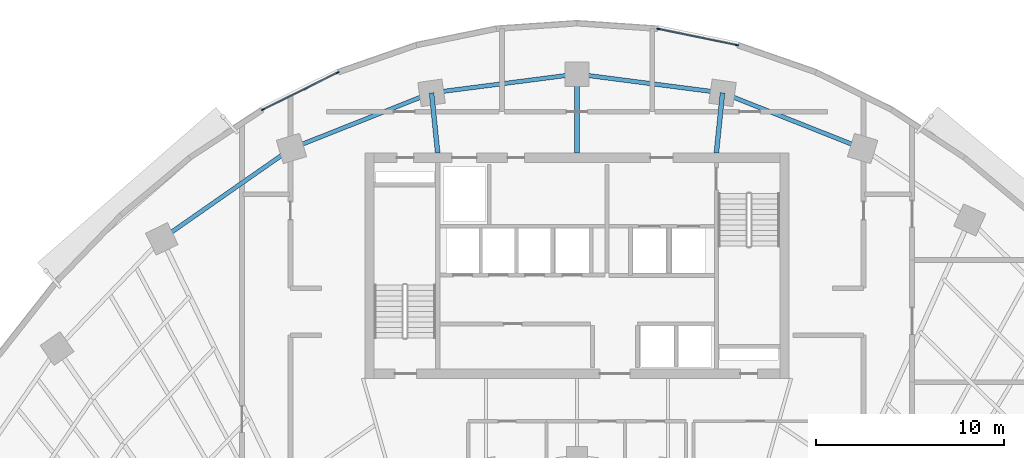
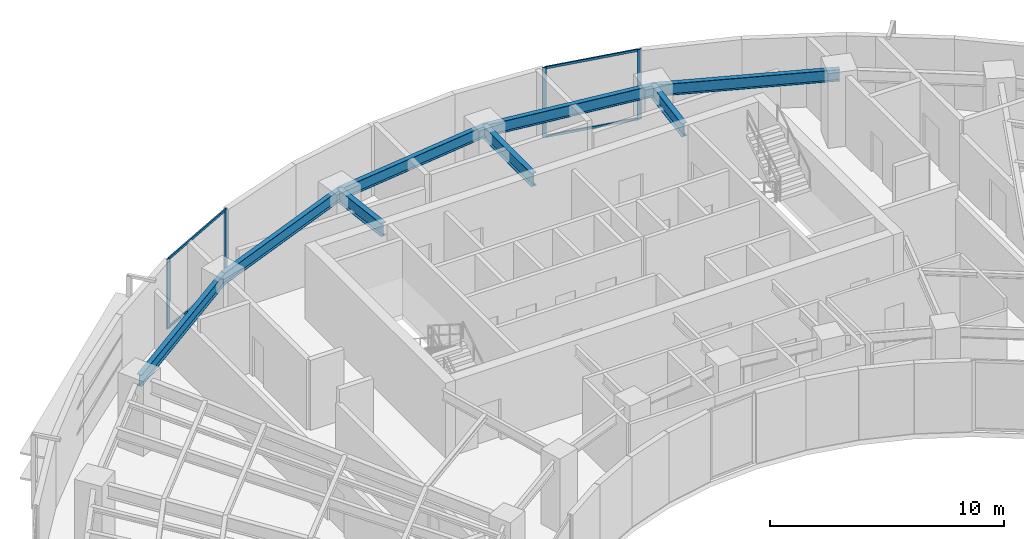
# One storey, part 5 of 13: 8 beams, 8 members, 2 elements without a shape of their own.
"""IFC4 building model written with IfcOpenShell, lengths in metres."""

from ifc_helpers import new_model, si_unit, direction, frame, origin, origin_2d, place, context, subcontext, project, spatial, rectangle, i_section, extrude, source, transform, mapped, material, layer, layer_set, material_profile, profile_set, type_object, element, aggregate, save


model = new_model("IFC4")

# Units and contexts
model_context = context("Model", 3, precision=1e-05, world=origin(), true_north=direction((0.0, 1.0)))
body_context = subcontext(model_context, "Body", "Model", "MODEL_VIEW")
ifc_project = project(units=[si_unit("LENGTHUNIT", "METRE"), si_unit("AREAUNIT", "SQUARE_METRE"), si_unit("VOLUMEUNIT", "CUBIC_METRE"), si_unit("PLANEANGLEUNIT", "RADIAN"), si_unit("MASSUNIT", "GRAM", prefix="KILO")], contexts=[model_context])

# Site, building, storey
site_placement = place(None, origin())
site = spatial("IfcSite", under=ifc_project, at=site_placement, CompositionType="ELEMENT")
building_placement = place(site_placement, origin())
building = spatial("IfcBuilding", under=site, at=building_placement, Name="Breltana Convention Tower", CompositionType="ELEMENT")
storey_placement = place(building_placement, frame((0.0, 0.0, 127.199951171875)))
storey = spatial("IfcBuildingStorey", under=building, at=storey_placement, Name="L30", CompositionType="ELEMENT", Elevation=127.199951171875)

# Beams
ifc_material_1 = material(Name="Steel ASTM A992 Grade 50", Category="steel")
ifc_material_profile_1 = material_profile(ifc_material_1, i_section(OverallWidth=0.25390625, OverallDepth=0.68798828125, WebThickness=0.01318359375, FlangeThickness=0.02099609375, at=origin_2d()), Name="W27X102")
ifc_profile_set_1 = profile_set([ifc_material_profile_1], Name="Steel ASTM A992 Grade 50")
beam_type_1 = type_object("IfcBeamType", Name="BM-RG-W27X102", PredefinedType="USERDEFINED", material=ifc_profile_set_1)
shared_shape_1 = source(origin(), body_context, "Body", "SweptSolid", [
    extrude(i_section(OverallWidth=0.25390625, OverallDepth=0.68798828125, WebThickness=0.01318359375, FlangeThickness=0.02099609375, at=origin_2d()), origin(), (0.0, 0.0, 1.0), 3.220947265625),
])
for number, where, z_axis, x_axis, name in (
    (1, (40.580078125, 72.199951171875, 3.30615234375), (-0.101492254858, 0.994836329355, 0.0), (-0.994836329355, -0.101492254858, 0.0), "L30 North Core Radial Girder R05"),
    (2, (55.419921875, 72.199951171875, 3.30615234375), (0.101492254858, 0.994836329355, 0.0), (-0.994836329355, 0.101492254858, 0.0), "L30 North Core Radial Girder R07"),
):
    element("IfcBeam", number, at=place(storey_placement, frame(where, z_axis=z_axis, x_axis=x_axis)), inside=storey, type_object=beam_type_1, Name=name, ObjectType="GIRDER", PredefinedType="USERDEFINED", context=body_context, shape_type="MappedRepresentation", body=[
        mapped(shared_shape_1, transform((0.0, 0.0, 0.0), scale=1.0)),
    ])
shared_shape_2 = source(origin(), body_context, "Body", "SweptSolid", [
    extrude(i_section(OverallWidth=0.25390625, OverallDepth=0.68798828125, WebThickness=0.01318359375, FlangeThickness=0.02099609375, at=origin_2d()), origin(), (0.0, 0.0, 1.0), 4.2041015625),
])
beam_1_placement = place(storey_placement, frame((48.0, 72.199951171875, 3.30615234375), z_axis=(0.0, 1.0, 0.0), x_axis=(-1.0, 0.0, 0.0)))
element("IfcBeam", 3, at=beam_1_placement, inside=storey, type_object=beam_type_1, Name="L30 North Core Radial Girder R06", ObjectType="GIRDER", PredefinedType="USERDEFINED", context=body_context, shape_type="MappedRepresentation", body=[
    mapped(shared_shape_2, transform((0.0, 0.0, 0.0), scale=1.0)),
])
ifc_material_profile_2 = material_profile(ifc_material_1, i_section(OverallWidth=0.22802734375, OverallDepth=0.60791015625, WebThickness=0.01123046875, FlangeThickness=0.017333984375, at=origin_2d()), Name="W24X76")
ifc_profile_set_2 = profile_set([ifc_material_profile_2], Name="Steel ASTM A992 Grade 50")
beam_type_2 = type_object("IfcBeamType", Name="BM-SP-W24X76", PredefinedType="SPANDREL", material=ifc_profile_set_2)
shared_shape_3 = source(origin(), body_context, "Body", "SweptSolid", [
    extrude(i_section(OverallWidth=0.22802734375, OverallDepth=0.60791015625, WebThickness=0.01123046875, FlangeThickness=0.017333984375, at=origin_2d()), origin(), (0.0, 0.0, 1.0), 8.4169921875),
])
beam_2_placement = place(storey_placement, frame((25.8876953125, 67.626953125, 3.345947265625), z_axis=(0.820173800102, 0.572114444519, 0.0), x_axis=(-0.572114444519, 0.820173800102, 0.0)))
element("IfcBeam", 4, at=beam_2_placement, inside=storey, type_object=beam_type_2, Name="L30 Outer Spandrel Beam 03", PredefinedType="SPANDREL", context=body_context, shape_type="MappedRepresentation", body=[
    mapped(shared_shape_3, transform((0.0, 0.0, 0.0), scale=1.0)),
])
shared_shape_4 = source(origin(), body_context, "Body", "SweptSolid", [
    extrude(i_section(OverallWidth=0.22802734375, OverallDepth=0.60791015625, WebThickness=0.01123046875, FlangeThickness=0.017333984375, at=origin_2d()), origin(), (0.0, 0.0, 1.0), 8.028564453125),
])
for number, where, z_axis, x_axis, name in (
    (5, (32.791015625, 72.4423828125, 3.345947265625), (0.929459100394, 0.368925169507, 0.0), (-0.368925169507, 0.929459100394, 0.0), "L30 Outer Spandrel Beam 04"),
    (6, (55.746826171875, 75.404296875, 3.345947265625), (0.929459100394, -0.368925169507, 0.0), (0.368925169507, 0.929459100394, 0.0), "L30 Outer Spandrel Beam 07"),
):
    element("IfcBeam", number, at=place(storey_placement, frame(where, z_axis=z_axis, x_axis=x_axis)), inside=storey, type_object=beam_type_2, Name=name, PredefinedType="SPANDREL", context=body_context, shape_type="MappedRepresentation", body=[
        mapped(shared_shape_4, transform((0.0, 0.0, 0.0), scale=1.0)),
    ])
shared_shape_5 = source(origin(), body_context, "Body", "SweptSolid", [
    extrude(i_section(OverallWidth=0.22802734375, OverallDepth=0.60791015625, WebThickness=0.01123046875, FlangeThickness=0.017333984375, at=origin_2d()), origin(), (0.0, 0.0, 1.0), 7.81103515625),
])
for number, where, z_axis, x_axis, name in (
    (7, (40.253173828125, 75.404296875, 3.345947265625), (0.991775179127, 0.127992164083, 0.0), (-0.127992164083, 0.991775179127, 0.0), "L30 Outer Spandrel Beam 05"),
    (8, (48.0, 76.404052734375, 3.345947265625), (0.991775179127, -0.127992164083, 0.0), (0.127992164083, 0.991775179127, 0.0), "L30 Outer Spandrel Beam 06"),
):
    element("IfcBeam", number, at=place(storey_placement, frame(where, z_axis=z_axis, x_axis=x_axis)), inside=storey, type_object=beam_type_2, Name=name, PredefinedType="SPANDREL", context=body_context, shape_type="MappedRepresentation", body=[
        mapped(shared_shape_5, transform((0.0, 0.0, 0.0), scale=1.0)),
    ])

# Curtain wall, members
ifc_material_2 = material(Name="Aluminium Anodised Bronze Frame", Category="aluminium")
ifc_layer = layer(ifc_material_2, 0.22998046875, Name="Aluminium Anodised Bronze Frame")
ifc_layer_set = layer_set([ifc_layer], Name="Aluminium Anodised Bronze Frame")
curtain_wall_type = type_object("IfcCurtainWallType", Name="CW-SYS-5", PredefinedType="NOTDEFINED", material=ifc_layer_set)
curtain_wall_1_placement = place(storey_placement, origin())
curtain_wall_1 = element("IfcCurtainWall", 9, at=curtain_wall_1_placement, inside=storey, type_object=curtain_wall_type, Name="L30 outer double-skin inner glazing 2", PredefinedType="NOTDEFINED")
ifc_material_3 = material(Name="Aluminium Anodised Bronze", Category="aluminium")
ifc_material_profile_3 = material_profile(ifc_material_3, rectangle(XDim=0.070068359375, YDim=0.1201171875, at=origin_2d()), Name="CWT-70X120")
ifc_profile_set_3 = profile_set([ifc_material_profile_3], Name="Aluminium Anodised Bronze")
member_type_1 = type_object("IfcMemberType", Name="CWT-120", PredefinedType="USERDEFINED", material=ifc_profile_set_3)
shared_shape_6 = source(origin(), body_context, "Body", "SweptSolid", [
    extrude(rectangle(XDim=0.070068359375, YDim=0.1201171875, at=origin_2d()), origin(), (0.0, 0.0, 1.0), 4.365478515625),
])
member_1_placement = place(storey_placement, frame((31.3115234375, 74.52734375, 0.03515625), z_axis=(0.89595425125, 0.44414634938, 0.0), x_axis=(-0.44414634938, 0.89595425125, 0.0)))
member_1 = element("IfcMember", 10, at=member_1_placement, type_object=member_type_1, Name="CW-05 transom 1.1", ObjectType="TRANSOM", PredefinedType="USERDEFINED", context=body_context, shape_type="MappedRepresentation", body=[
    mapped(shared_shape_6, transform((0.0, 0.0, 0.0), scale=1.0)),
])
member_2_placement = place(storey_placement, frame((31.3115234375, 74.52734375, 3.614990234375), z_axis=(0.89595425125, 0.44414634938, 0.0), x_axis=(-0.44414634938, 0.89595425125, 0.0)))
member_2 = element("IfcMember", 11, at=member_2_placement, type_object=member_type_1, Name="CW-05 transom 1.2", ObjectType="TRANSOM", PredefinedType="USERDEFINED", context=body_context, shape_type="MappedRepresentation", body=[
    mapped(shared_shape_6, transform((0.0, 0.0, 0.0), scale=1.0)),
])

curtain_wall_2_placement = place(storey_placement, origin())
curtain_wall_2 = element("IfcCurtainWall", 12, at=curtain_wall_2_placement, inside=storey, type_object=curtain_wall_type, Name="L30 outer double-skin inner glazing 3", PredefinedType="NOTDEFINED")
shared_shape_7 = source(origin(), body_context, "Body", "SweptSolid", [
    extrude(rectangle(XDim=0.070068359375, YDim=0.1201171875, at=origin_2d()), origin(), (0.0, 0.0, 1.0), 4.200927734375),
])
member_3_placement = place(storey_placement, frame((52.364501953125, 78.798828125, 0.03515625), z_axis=(0.979621469833, -0.200852622196, 0.0), x_axis=(0.200852622196, 0.979621469833, 0.0)))
member_3 = element("IfcMember", 13, at=member_3_placement, type_object=member_type_1, Name="CW-05 transom 1.1", ObjectType="TRANSOM", PredefinedType="USERDEFINED", context=body_context, shape_type="MappedRepresentation", body=[
    mapped(shared_shape_7, transform((0.0, 0.0, 0.0), scale=1.0)),
])
member_4_placement = place(storey_placement, frame((52.364501953125, 78.798828125, 3.614990234375), z_axis=(0.979621469833, -0.200852622196, 0.0), x_axis=(0.200852622196, 0.979621469833, 0.0)))
member_4 = element("IfcMember", 14, at=member_4_placement, type_object=member_type_1, Name="CW-05 transom 1.2", ObjectType="TRANSOM", PredefinedType="USERDEFINED", context=body_context, shape_type="MappedRepresentation", body=[
    mapped(shared_shape_7, transform((0.0, 0.0, 0.0), scale=1.0)),
])

# Member
ifc_material_profile_4 = material_profile(ifc_material_3, rectangle(XDim=0.070068359375, YDim=0.175048828125, at=origin_2d()), Name="CWM-70X175")
ifc_profile_set_4 = profile_set([ifc_material_profile_4], Name="Aluminium Anodised Bronze")
member_type_2 = type_object("IfcMemberType", Name="CWM-175", PredefinedType="MULLION", material=ifc_profile_set_4)
shared_shape_8 = source(origin(), body_context, "Body", "SweptSolid", [
    extrude(rectangle(XDim=0.070068359375, YDim=0.175048828125, at=origin_2d()), origin(), (0.0, 0.0, 1.0), 3.650146484375),
])
member_5_placement = place(storey_placement, frame((31.280029296875, 74.511962890625, 0.0), z_axis=(0.0, 0.0, 1.0), x_axis=(-0.444121541007, 0.895966548937, 0.0)))
member_5 = element("IfcMember", 15, at=member_5_placement, type_object=member_type_2, Name="CW-05 mullion 1", PredefinedType="MULLION", context=body_context, shape_type="MappedRepresentation", body=[
    mapped(shared_shape_8, transform((0.0, 0.0, 0.0), scale=1.0)),
])

member_6_placement = place(storey_placement, frame((35.25439453125, 76.48193359375, 0.0), z_axis=(0.0, 0.0, 1.0), x_axis=(-0.444121541007, 0.895966548937, 0.0)))
member_6 = element("IfcMember", 16, at=member_6_placement, type_object=member_type_2, Name="CW-05 mullion 2", PredefinedType="MULLION", context=body_context, shape_type="MappedRepresentation", body=[
    mapped(shared_shape_8, transform((0.0, 0.0, 0.0), scale=1.0)),
])

aggregate(curtain_wall_1, [member_5, member_6, member_1, member_2])

member_7_placement = place(storey_placement, frame((52.330078125, 78.805908203125, 0.0), z_axis=(0.0, 0.0, 1.0), x_axis=(0.200858550415, 0.979620254346, 0.0)))
member_7 = element("IfcMember", 17, at=member_7_placement, type_object=member_type_2, Name="CW-05 mullion 1", PredefinedType="MULLION", context=body_context, shape_type="MappedRepresentation", body=[
    mapped(shared_shape_8, transform((0.0, 0.0, 0.0), scale=1.0)),
])

member_8_placement = place(storey_placement, frame((56.513916015625, 77.947998046875, 0.0), z_axis=(0.0, 0.0, 1.0), x_axis=(0.200858550415, 0.979620254346, 0.0)))
member_8 = element("IfcMember", 18, at=member_8_placement, type_object=member_type_2, Name="CW-05 mullion 2", PredefinedType="MULLION", context=body_context, shape_type="MappedRepresentation", body=[
    mapped(shared_shape_8, transform((0.0, 0.0, 0.0), scale=1.0)),
])

aggregate(curtain_wall_2, [member_7, member_8, member_3, member_4])

save(model, "model.ifc")
